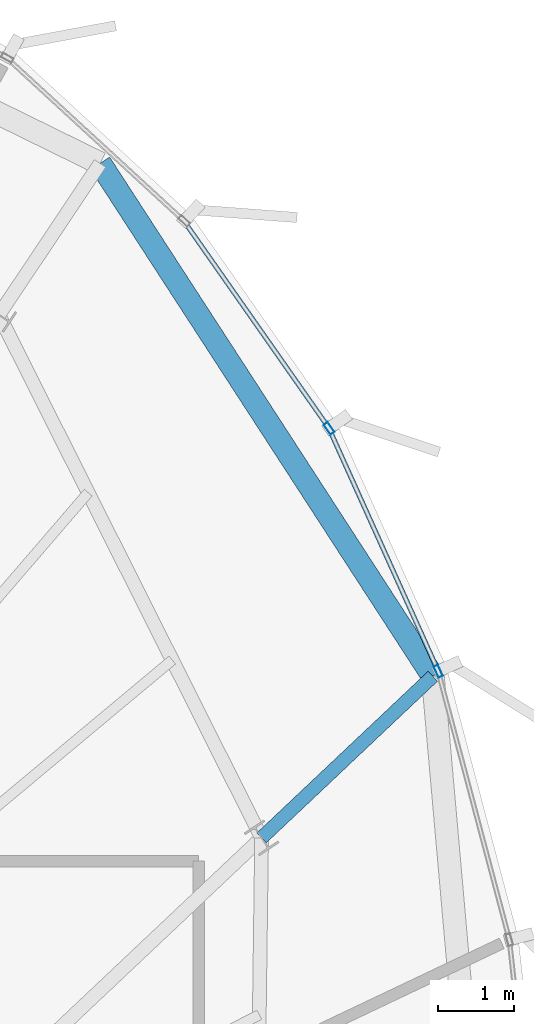
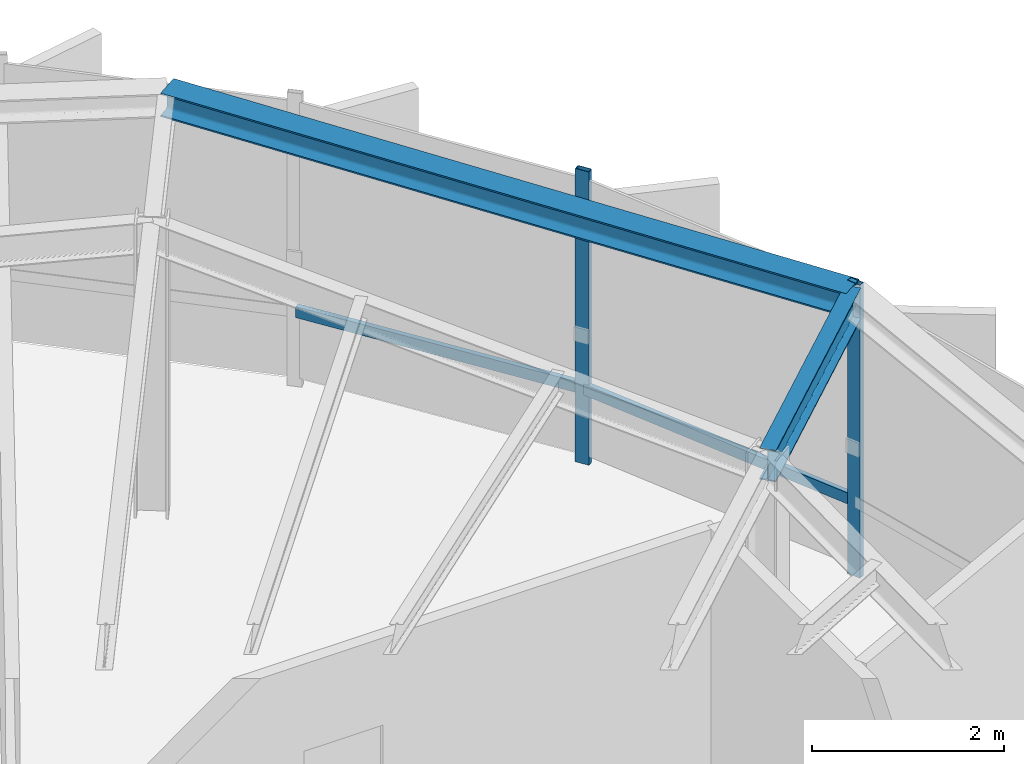
# One storey, part 20 of 27: 4 members, 2 beams, 1 element without a shape of its own.
"""IFC4 building model written with IfcOpenShell, lengths in metres."""

from ifc_helpers import new_model, si_unit, direction, frame, origin, origin_2d, place, context, subcontext, project, spatial, hollow_rectangle, i_section, extrude, source, transform, mapped, material, layer, layer_set, material_profile, profile_set, type_object, element, aggregate, save


model = new_model("IFC4")

# Units and contexts
model_context = context("Model", 3, precision=1e-05, world=origin(), true_north=direction((0.0, 1.0)))
body_context = subcontext(model_context, "Body", "Model", "MODEL_VIEW")
ifc_project = project(units=[si_unit("LENGTHUNIT", "METRE"), si_unit("AREAUNIT", "SQUARE_METRE"), si_unit("VOLUMEUNIT", "CUBIC_METRE"), si_unit("PLANEANGLEUNIT", "RADIAN"), si_unit("MASSUNIT", "GRAM", prefix="KILO"), si_unit("THERMODYNAMICTEMPERATUREUNIT", "KELVIN")], contexts=[model_context])

# Site, building, storey
site_placement = place(None, origin())
site = spatial("IfcSite", under=ifc_project, at=site_placement, CompositionType="ELEMENT")
building_placement = place(site_placement, origin())
building = spatial("IfcBuilding", under=site, at=building_placement, Name="Kethvar Cultural Tower", CompositionType="ELEMENT")
storey_placement = place(building_placement, frame((0.0, 0.0, 308.300048828125)))
storey = spatial("IfcBuildingStorey", under=building, at=storey_placement, Name="L82", CompositionType="ELEMENT", Elevation=308.300048828125)

# Beams
ifc_material_1 = material(Name="Steel S355J2", Category="steel")
ifc_material_profile_1 = material_profile(ifc_material_1, i_section(OverallWidth=0.179931640625, OverallDepth=0.39990234375, WebThickness=0.008544921875, FlangeThickness=0.013427734375, FilletRadius=0.02099609375, at=origin_2d()), Name="Steel S355J2 — IPE400")
ifc_profile_set_1 = profile_set([ifc_material_profile_1], Name="Steel S355J2 — IPE400")
beam_type_1 = type_object("IfcBeamType", Name="BM-IPE400", PredefinedType="BEAM", material=ifc_profile_set_1)
shared_shape_1 = source(origin(), body_context, "Body", "SweptSolid", [
    extrude(i_section(OverallWidth=0.179931640625, OverallDepth=0.39990234375, WebThickness=0.008544921875, FlangeThickness=0.013427734375, FilletRadius=0.02099609375, at=origin_2d()), origin(), (0.0, 0.0, 1.0), 3.092041015625),
])
beam_1_placement = place(storey_placement, frame((61.32568359375, 37.505859375, 3.532958984375), z_axis=(0.727183922123, 0.686442673066, 0.0), x_axis=(-0.686442673066, 0.727183922123, 0.0)))
element("IfcBeam", 1, at=beam_1_placement, inside=storey, type_object=beam_type_1, Name="L82 Perimeter Cantilever Beam RC-02", PredefinedType="BEAM", context=body_context, shape_type="MappedRepresentation", body=[
    mapped(shared_shape_1, transform((0.0, 0.0, 0.0), scale=1.0)),
])
ifc_material_profile_2 = material_profile(ifc_material_1, i_section(OverallWidth=0.300048828125, OverallDepth=0.300048828125, WebThickness=0.010986328125, FlangeThickness=0.01904296875, FilletRadius=0.027099609375, at=origin_2d()), Name="Steel S355J2 — HEB300")
ifc_profile_set_2 = profile_set([ifc_material_profile_2], Name="Steel S355J2 — HEB300")
beam_type_2 = type_object("IfcBeamType", Name="BM-SP300", PredefinedType="SPANDREL", material=ifc_profile_set_2)
shared_shape_2 = source(origin(), body_context, "Body", "SweptSolid", [
    extrude(i_section(OverallWidth=0.300048828125, OverallDepth=0.300048828125, WebThickness=0.010986328125, FlangeThickness=0.01904296875, FilletRadius=0.027099609375, at=origin_2d()), origin(), (0.0, 0.0, 1.0), 8.029296875),
])
beam_2_placement = place(storey_placement, frame((63.57421875, 39.62841796875, 3.5830078125), z_axis=(-0.544215398798, 0.838945528453, 0.0), x_axis=(-0.838945528453, -0.544215398798, 0.0)))
element("IfcBeam", 2, at=beam_2_placement, inside=storey, type_object=beam_type_2, Name="L82 Perimeter Spandrel Beam SP-02", PredefinedType="SPANDREL", context=body_context, shape_type="MappedRepresentation", body=[
    mapped(shared_shape_2, transform((0.0, 0.0, 0.0), scale=1.0)),
])

# Curtain wall, members
ifc_material_2 = material(Name="Aluminium 6063-T6", Category="aluminium")
ifc_layer = layer(ifc_material_2, 0.179931640625, Name="Aluminium 6063-T6", Category="aluminium")
ifc_layer_set = layer_set([ifc_layer], Name="Aluminium 6063-T6 (180 mm)")
curtain_wall_type = type_object("IfcCurtainWallType", Name="CW-SYS-06-CROWN", PredefinedType="NOTDEFINED", material=ifc_layer_set)
curtain_wall_placement = place(storey_placement, origin())
curtain_wall = element("IfcCurtainWall", 3, at=curtain_wall_placement, inside=storey, type_object=curtain_wall_type, Name="L82 Curtain Wall Run 06", PredefinedType="NOTDEFINED")
ifc_material_profile_3 = material_profile(ifc_material_2, hollow_rectangle(XDim=0.06494140625, YDim=0.159912109375, WallThickness=0.0048828125, at=origin_2d()), Name="Aluminium 6063-T6 — RHS160x65x5")
ifc_profile_set_3 = profile_set([ifc_material_profile_3], Name="Aluminium 6063-T6 — RHS160x65x5")
member_type_1 = type_object("IfcMemberType", Name="CW-SYS-06-CROWN-MUL", PredefinedType="MULLION", material=ifc_profile_set_3)
shared_shape_3 = source(origin(), body_context, "Body", "SweptSolid", [
    extrude(hollow_rectangle(XDim=0.06494140625, YDim=0.159912109375, WallThickness=0.0048828125, at=origin_2d()), origin(), (0.0, 0.0, 1.0), 3.73486328125),
])
member_1_placement = place(storey_placement, frame((63.64599609375, 39.6953125, 0.0), z_axis=(0.0, 0.0, 1.0), x_axis=(-0.911805048955, -0.410623370864, 0.0)))
member_1 = element("IfcMember", 4, at=member_1_placement, type_object=member_type_1, Name="CW-L82-R06 Mullion 3", PredefinedType="MULLION", context=body_context, shape_type="MappedRepresentation", body=[
    mapped(shared_shape_3, transform((0.0, 0.0, 0.0), scale=1.0)),
])
member_2_placement = place(storey_placement, frame((62.2119140625, 42.88525390625, 0.0), z_axis=(0.0, 0.0, 1.0), x_axis=(-0.819142033367, -0.573590733164, 0.0)))
member_2 = element("IfcMember", 5, at=member_2_placement, type_object=member_type_1, Name="CW-L82-R06 Mullion 4", PredefinedType="MULLION", context=body_context, shape_type="MappedRepresentation", body=[
    mapped(shared_shape_3, transform((0.0, 0.0, 0.0), scale=1.0)),
])
ifc_material_profile_4 = material_profile(ifc_material_2, hollow_rectangle(XDim=0.06005859375, YDim=0.139892578125, WallThickness=0.0048828125, at=origin_2d()), Name="Aluminium 6063-T6 — RHS140x60x5")
ifc_profile_set_4 = profile_set([ifc_material_profile_4], Name="Aluminium 6063-T6 — RHS140x60x5")
member_type_2 = type_object("IfcMemberType", Name="CW-SYS-06-CROWN-TRN", PredefinedType="USERDEFINED", material=ifc_profile_set_4)
shared_shape_4 = source(origin(), body_context, "Body", "SweptSolid", [
    extrude(hollow_rectangle(XDim=0.06005859375, YDim=0.139892578125, WallThickness=0.0048828125, at=origin_2d()), origin(), (0.0, 0.0, 1.0), 3.42626953125),
])
member_3_placement = place(storey_placement, frame((63.626953125, 39.738037109375, 0.949951171875), z_axis=(-0.41064908933, 0.911793466435, 0.0), x_axis=(-0.911793466435, -0.41064908933, 0.0)))
member_3 = element("IfcMember", 6, at=member_3_placement, type_object=member_type_2, Name="CW-L82-R06 Transom 3", ObjectType="TRANSOM", PredefinedType="USERDEFINED", context=body_context, shape_type="MappedRepresentation", body=[
    mapped(shared_shape_4, transform((0.0, 0.0, 0.0), scale=1.0)),
])
shared_shape_5 = source(origin(), body_context, "Body", "SweptSolid", [
    extrude(hollow_rectangle(XDim=0.06005859375, YDim=0.139892578125, WallThickness=0.0048828125, at=origin_2d()), origin(), (0.0, 0.0, 1.0), 3.252685546875),
])
member_4_placement = place(storey_placement, frame((62.18505859375, 42.923583984375, 0.949951171875), z_axis=(-0.573658785155, 0.819094376867, 0.0), x_axis=(-0.819094376867, -0.573658785155, 0.0)))
member_4 = element("IfcMember", 7, at=member_4_placement, type_object=member_type_2, Name="CW-L82-R06 Transom 4", ObjectType="TRANSOM", PredefinedType="USERDEFINED", context=body_context, shape_type="MappedRepresentation", body=[
    mapped(shared_shape_5, transform((0.0, 0.0, 0.0), scale=1.0)),
])
aggregate(curtain_wall, [member_1, member_2, member_3, member_4])

save(model, "model.ifc")
